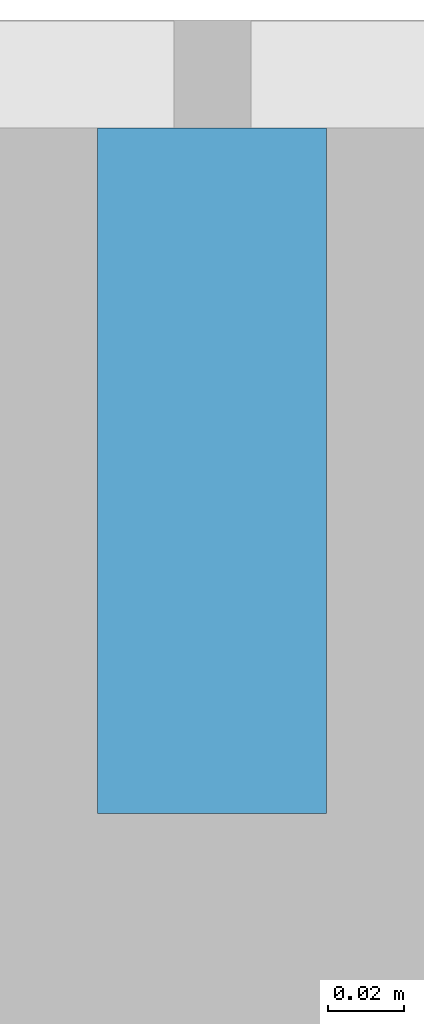
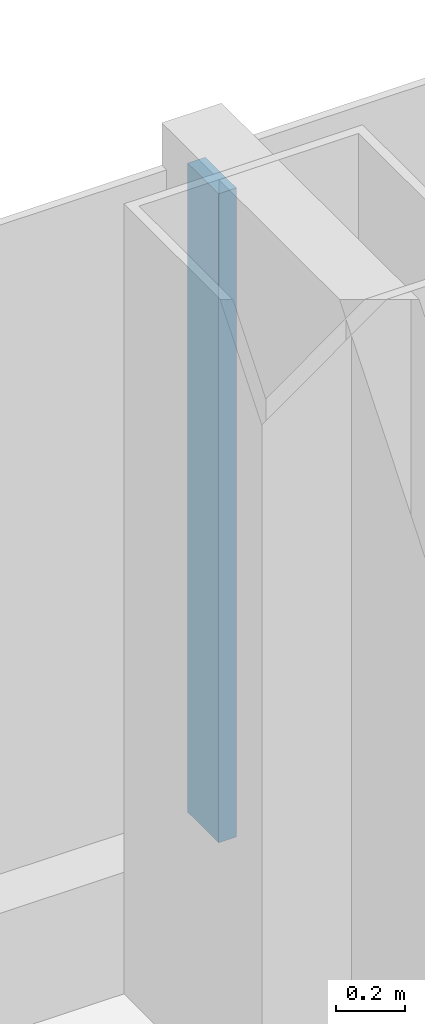
# One storey, part 10 of 29: 1 member, 1 element without a shape of its own.
"""IFC4 building model written with IfcOpenShell, lengths in metres."""

from ifc_helpers import new_model, si_unit, direction, frame, origin, origin_2d, place, context, subcontext, project, spatial, rectangle, extrude, material, layer, layer_set, material_profile, profile_set, type_object, element, aggregate, save


model = new_model("IFC4")

# Units and contexts
model_context = context("Model", 3, precision=1e-05, world=origin(), true_north=direction((0.0, 1.0)))
body_context = subcontext(model_context, "Body", "Model", "MODEL_VIEW")
ifc_project = project(units=[si_unit("LENGTHUNIT", "METRE"), si_unit("AREAUNIT", "SQUARE_METRE"), si_unit("VOLUMEUNIT", "CUBIC_METRE"), si_unit("PLANEANGLEUNIT", "RADIAN"), si_unit("MASSUNIT", "GRAM", prefix="KILO")], contexts=[model_context])

# Site, building, storey
site_placement = place(None, origin())
site = spatial("IfcSite", under=ifc_project, at=site_placement, CompositionType="ELEMENT")
building_placement = place(site_placement, origin())
building = spatial("IfcBuilding", under=site, at=building_placement, Name="Hakoniwa Tower and Hamabe Station Hall", CompositionType="ELEMENT")
storey_placement = place(building_placement, frame((0.0, 0.0, 78.60009765625)))
storey = spatial("IfcBuildingStorey", under=building, at=storey_placement, Name="L21", CompositionType="ELEMENT", Elevation=78.60009765625)

# Curtain wall, member
ifc_material_1 = material(Name="Dark low-e laminated glass", Category="glass")
ifc_layer = layer(ifc_material_1, 0.199951171875)
ifc_layer_set = layer_set([ifc_layer], Name="CW-1 UNITISED GUEST")
curtain_wall_type = type_object("IfcCurtainWallType", Name="CW-1 UNITISED GUEST", PredefinedType="NOTDEFINED", material=ifc_layer_set)
curtain_wall_placement = place(storey_placement, origin())
curtain_wall = element("IfcCurtainWall", 1, at=curtain_wall_placement, inside=storey, type_object=curtain_wall_type, Name="CW-1 curtain wall", PredefinedType="NOTDEFINED")
ifc_material_2 = material(Name="Aluminium 6063-T5 black anodised", Category="aluminium")
ifc_material_profile = material_profile(ifc_material_2, rectangle(XDim=0.06005859375, YDim=0.179931640625, at=origin_2d()), Name="CW-1 MULLION 60X180")
ifc_profile_set = profile_set([ifc_material_profile], Name="Aluminium 6063-T5 black anodised")
member_type = type_object("IfcMemberType", Name="CW-1 MULLION 60X180", PredefinedType="MULLION", material=ifc_profile_set)
member_placement = place(storey_placement, frame((8.39990234375, 23.431884765625, 0.349853515625), z_axis=(0.0, 0.0, 1.0), x_axis=(-1.0, 0.0, 0.0)))
member = element("IfcMember", 2, at=member_placement, type_object=member_type, Name="CW-1 mullion", PredefinedType="MULLION", context=body_context, shape_type="SweptSolid", body=[
    extrude(rectangle(XDim=0.06005859375, YDim=0.179931640625, at=origin_2d()), origin(), (0.0, 0.0, 1.0), 2.300048828125),
])
aggregate(curtain_wall, [member])

save(model, "model.ifc")
